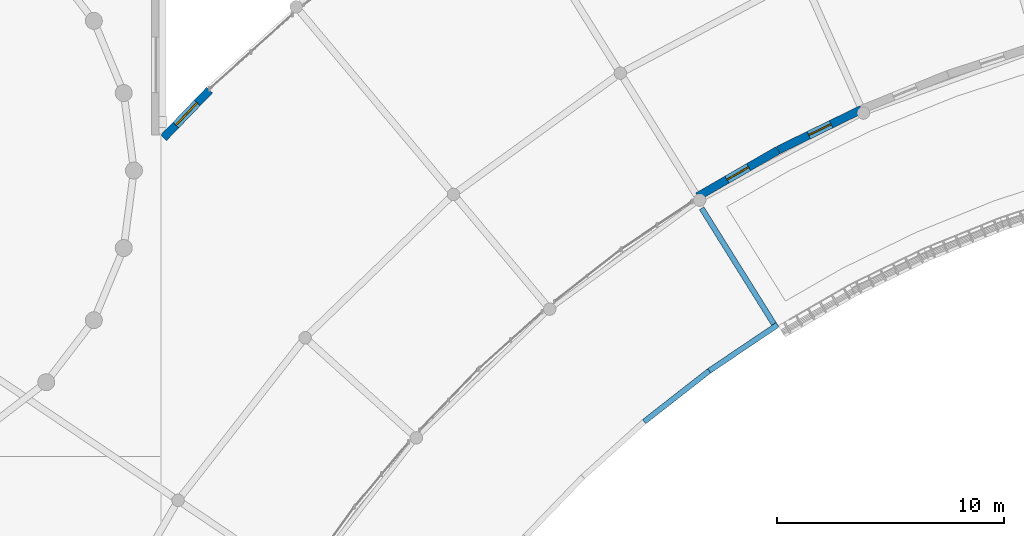
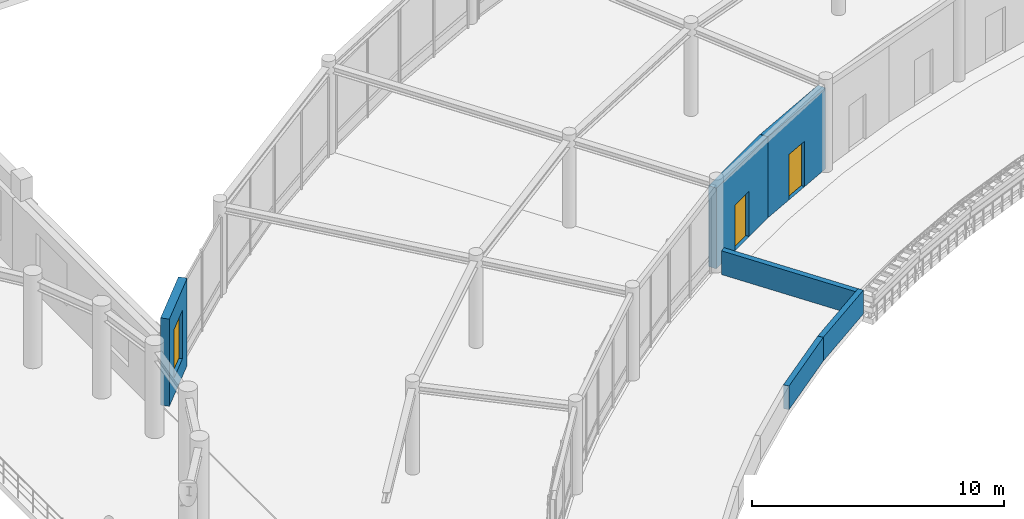
# One storey, part 40 of 62: 6 walls, 2 doors, 1 window, 3 openings.
"""IFC4 building model written with IfcOpenShell, lengths in metres."""

import ifcopenshell
import ifcopenshell.guid

model = None  # the IFC model being written
_history = None  # IfcOwnerHistory: only IFC2X3 demands one
_inside = {}  # id of a spatial element -> (the spatial element, [elements in it])
_under = {}  # id of a project, library or spatial element -> (it, [spatial elements below it])
_declared = {}  # id of a project -> (the project, [libraries it declares])
_typed = {}  # id of a type object -> (the type object, [elements of that type])
_made_of = {}  # id of a material, layer set ... -> (it, [elements and type objects made of it])


def new_model(schema):
    """Start an empty IFC model of exactly this schema.

    Asked for "IFC4X3", IfcOpenShell would pick the latest addendum, in which some entities
    have other attributes; the version numbers below select the first issue.
    IFC2X3 requires an IfcOwnerHistory on every rooted entity: one is made here for all.
    """
    global model, _history
    if schema == "IFC4X3":
        model = ifcopenshell.file(schema_version=(4, 3, 0, 0))
    else:
        model = ifcopenshell.file(schema=schema)
    _inside.clear()
    _under.clear()
    _declared.clear()
    _typed.clear()
    _made_of.clear()
    _history = None
    if model.schema == "IFC2X3":
        org = make("IfcOrganization", Name="unknown")
        user = make(
            "IfcPersonAndOrganization",
            ThePerson=make("IfcPerson", FamilyName="unknown"),
            TheOrganization=org,
        )
        app = make(
            "IfcApplication",
            ApplicationDeveloper=org,
            Version="unknown",
            ApplicationFullName="unknown",
            ApplicationIdentifier="unknown",
        )
        _history = make(
            "IfcOwnerHistory",
            OwningUser=user,
            OwningApplication=app,
            ChangeAction="ADDED",
            CreationDate=0,
        )
    return model


def make(cls, **values):
    """One entity of the class cls with the attributes given. An attribute that is None is left unset."""
    return model.create_entity(
        cls, **{name: value for name, value in values.items() if value is not None}
    )


def rooted(cls, **values):
    """An entity with a GlobalId (a new one), such as an element, a storey or a relation."""
    return make(cls, GlobalId=ifcopenshell.guid.new(), OwnerHistory=_history, **values)


def si_unit(unit_type, name, prefix=None):
    """IfcSIUnit, for example si_unit("LENGTHUNIT", "METRE", prefix="MILLI")."""
    return make("IfcSIUnit", UnitType=unit_type, Prefix=prefix, Name=name)


def assignment(units):
    """IfcUnitAssignment: the units of a project."""
    return None if units is None else make("IfcUnitAssignment", Units=units)


def point(xyz):
    """IfcCartesianPoint."""
    return None if xyz is None else make("IfcCartesianPoint", Coordinates=xyz)


def direction(xyz):
    """IfcDirection."""
    return None if xyz is None else make("IfcDirection", DirectionRatios=xyz)


def frame(location, z_axis=None, x_axis=None):
    """IfcAxis2Placement3D, a coordinate frame: its origin and axes. An axis left out is left unset."""
    return make(
        "IfcAxis2Placement3D",
        Location=point(location),
        Axis=direction(z_axis),
        RefDirection=direction(x_axis),
    )


def frame_2d(location, x_axis=None):
    """IfcAxis2Placement2D, a coordinate frame in the plane: its origin and x axis."""
    return make(
        "IfcAxis2Placement2D", Location=point(location), RefDirection=direction(x_axis)
    )


def origin():
    """The frame at (0, 0, 0) with its axes left unset."""
    return frame((0.0, 0.0, 0.0))


def place(relative_to, where):
    """IfcLocalPlacement: puts the frame where relative to a parent placement (None: the world)."""
    return make(
        "IfcLocalPlacement", PlacementRelTo=relative_to, RelativePlacement=where
    )


def context(
    kind, dimensions, precision=None, world=None, true_north=None, identifier=None
):
    """IfcGeometricRepresentationContext, for example the 3D "Model" context."""
    return make(
        "IfcGeometricRepresentationContext",
        ContextIdentifier=identifier,
        ContextType=kind,
        CoordinateSpaceDimension=dimensions,
        Precision=precision,
        WorldCoordinateSystem=world,
        TrueNorth=true_north,
    )


def subcontext(parent, identifier, kind, view, scale=None):
    """IfcGeometricRepresentationSubContext, for example "Body" below "Model"."""
    return make(
        "IfcGeometricRepresentationSubContext",
        ContextIdentifier=identifier,
        ContextType=kind,
        ParentContext=parent,
        TargetScale=scale,
        TargetView=view,
    )


def project(units=None, contexts=None):
    """IfcProject with its units and contexts."""
    return rooted(
        "IfcProject",
        Name="project",
        RepresentationContexts=contexts,
        UnitsInContext=assignment(units),
    )


def spatial(cls, under=None, at=None, **own):
    """A site, building, storey or space (cls), placed at a placement, below another one or the project."""
    s = rooted(cls, ObjectPlacement=at, **own)
    if under is not None:
        _under.setdefault(under.id(), (under, []))[1].append(s)
    return s


def profile(cls, at=None, kind="AREA", **sizes):
    """A parametric profile (cls). Its sizes go by their IFC names, for example OverallWidth=200.0."""
    return make(cls, ProfileType=kind, Position=at, **sizes)


def rectangle(**sizes):
    """IfcRectangleProfileDef."""
    return profile("IfcRectangleProfileDef", **sizes)


def extrude(swept, where, along, depth):
    """IfcExtrudedAreaSolid: the profile swept, set in the frame where, extruded along a direction by depth."""
    return make(
        "IfcExtrudedAreaSolid",
        SweptArea=swept,
        Position=where,
        ExtrudedDirection=direction(along),
        Depth=depth,
    )


def shape(context_of_items, identifier, shape_type, items):
    """IfcShapeRepresentation: the items that make up one representation, for example the "Body"."""
    return make(
        "IfcShapeRepresentation",
        ContextOfItems=context_of_items,
        RepresentationIdentifier=identifier,
        RepresentationType=shape_type,
        Items=items,
    )


def material(Name=None, Category=None):
    """IfcMaterial."""
    return make("IfcMaterial", Name=Name, Category=Category)


def layer(
    of_material, thickness, ventilated=None, Name=None, Category=None, Priority=None
):
    """IfcMaterialLayer: one layer of a wall or slab, of a material (None: an air gap)."""
    return make(
        "IfcMaterialLayer",
        Material=of_material,
        LayerThickness=thickness,
        IsVentilated=ventilated,
        Name=Name,
        Category=Category,
        Priority=Priority,
    )


def layer_set(layers, Name=None):
    """IfcMaterialLayerSet."""
    return make("IfcMaterialLayerSet", MaterialLayers=layers, LayerSetName=Name)


def made_of(thing, what):
    """Note that an element or type object is made of a material, layer set ...; save() writes the relation."""
    if what is not None:
        _made_of.setdefault(what.id(), (what, []))[1].append(thing)
    return thing


def type_object(cls, material=None, **own):
    """A type object (cls), such as IfcWallType, which elements share."""
    return made_of(rooted(cls, **own), material)


def element(
    cls,
    number,
    at=None,
    inside=None,
    cuts=None,
    type_object=None,
    material=None,
    context=None,
    identifier="Body",
    shape_type=None,
    held_by="IfcProductDefinitionShape",
    body=None,
    shapes=None,
    **own,
):
    """One element of the class cls, such as IfcWall. Its Tag is "e" and its number.

    at: its placement. inside: the storey or other place that contains it. cuts: it is an
    opening in that element (IfcRelVoidsElement). A single representation is given by context,
    identifier, shape_type and body (its items); several are given by shapes. held_by: the class
    of the entity that holds the representations. save() writes the other relations.
    """
    e = rooted(cls, Tag="e%d" % number, ObjectPlacement=at, **own)
    if body is not None:
        shapes = [shape(context, identifier, shape_type, body)]
    if shapes is not None:
        e.Representation = make(held_by, Representations=shapes)
    if inside is not None:
        _inside.setdefault(inside.id(), (inside, []))[1].append(e)
    if cuts is not None:
        rooted(
            "IfcRelVoidsElement", RelatingBuildingElement=cuts, RelatedOpeningElement=e
        )
    if type_object is not None:
        _typed.setdefault(type_object.id(), (type_object, []))[1].append(e)
    return made_of(e, material)


def fill(opening, filler):
    """IfcRelFillsElement: the door or window that sits in an opening."""
    return rooted(
        "IfcRelFillsElement",
        RelatingOpeningElement=opening,
        RelatedBuildingElement=filler,
    )


def aggregate(whole, parts):
    """IfcRelAggregates: a whole, such as a stair, and the parts it consists of."""
    return rooted("IfcRelAggregates", RelatingObject=whole, RelatedObjects=parts)


def save(model, path):
    """Write the relations noted so far, then the file.

    IfcRelAggregates (storeys below a building ...), IfcRelContainedInSpatialStructure (elements
    in a storey), IfcRelDefinesByType, IfcRelAssociatesMaterial and IfcRelDeclares: one each for
    every whole, place, type object, material and project.
    """
    for whole, parts in _under.values():
        aggregate(whole, parts)
    for where, things in _inside.values():
        rooted(
            "IfcRelContainedInSpatialStructure",
            RelatedElements=things,
            RelatingStructure=where,
        )
    for kind, things in _typed.values():
        rooted("IfcRelDefinesByType", RelatedObjects=things, RelatingType=kind)
    for what, things in _made_of.values():
        rooted("IfcRelAssociatesMaterial", RelatedObjects=things, RelatingMaterial=what)
    for by, libraries in _declared.values():
        rooted("IfcRelDeclares", RelatingContext=by, RelatedDefinitions=libraries)
    model.write(path)


model = new_model("IFC4")

# Units and contexts
model_context = context("Model", 3, precision=1e-05, world=origin(), true_north=direction((0.0, 1.0)))
body_context = subcontext(model_context, "Body", "Model", "MODEL_VIEW")
ifc_project = project(units=[si_unit("LENGTHUNIT", "METRE"), si_unit("AREAUNIT", "SQUARE_METRE"), si_unit("VOLUMEUNIT", "CUBIC_METRE"), si_unit("PLANEANGLEUNIT", "RADIAN"), si_unit("MASSUNIT", "GRAM", prefix="KILO")], contexts=[model_context])

# Site, building, storey
site_placement = place(None, origin())
site = spatial("IfcSite", under=ifc_project, at=site_placement, CompositionType="ELEMENT")
building_placement = place(site_placement, origin())
building = spatial("IfcBuilding", under=site, at=building_placement, Name="Clarverna Civic Hall", CompositionType="ELEMENT")
storey_placement = place(building_placement, frame((0.0, 0.0, 5.10009765625)))
storey = spatial("IfcBuildingStorey", under=building, at=storey_placement, Name="L01", CompositionType="ELEMENT", Elevation=5.10009765625)

# Wall, opening, window
ifc_material_1 = material(Name="Montjuic Limestone Ashlar Cladding", Category="masonry")
ifc_layer_1 = layer(ifc_material_1, 0.360107421875)
ifc_layer_set_1 = layer_set([ifc_layer_1], Name="Montjuic Limestone Ashlar Cladding")
wall_type_1 = type_object("IfcWallType", Name="EW-03", PredefinedType="SOLIDWALL", material=ifc_layer_set_1)
wall_1_placement = place(storey_placement, frame((97.304443359375, 60.441650390625, 0.0), z_axis=(0.0, 0.0, 1.0), x_axis=(0.694640707317, 0.719356857018, 0.0)))
wall_1 = element("IfcWall", 1, at=wall_1_placement, inside=storey, type_object=wall_type_1, Name="EW-03-001", PredefinedType="SOLIDWALL", context=body_context, shape_type="SweptSolid", body=[
    extrude(rectangle(XDim=2.923828125, YDim=0.360107421875, at=frame_2d((1.4619140625, 0.0))), origin(), (0.0, 0.0, 1.0), 4.219970703125),
])
opening_1_placement = place(wall_1_placement, frame((0.786865234375, 0.0, 0.85009765625)))
opening_1 = element("IfcOpeningElement", 2, at=opening_1_placement, cuts=wall_1, Name="Opening WN-29", PredefinedType="OPENING", context=body_context, shape_type="SweptSolid", body=[
    extrude(rectangle(XDim=1.35009765625, YDim=2.35009765625, at=frame_2d((0.675048828125, 1.175048828125))), frame((0.0, 0.18994140625, 0.0), z_axis=(0.0, -1.0, 0.0), x_axis=(1.0, 0.0, 0.0)), (0.0, 0.0, 1.0), 0.380126953125),
])
ifc_material_2 = material(Name="Solar-Control Argon Low-E Double Glazing", Category="glass")
window_type = type_object("IfcWindowType", Name="WN-29", PartitioningType="SINGLE_PANEL", PredefinedType="WINDOW", material=ifc_material_2)
window_placement = place(opening_1_placement, origin())
window = element("IfcWindow", 3, at=window_placement, inside=storey, type_object=window_type, Name="WN-29-023", OverallHeight=2.35009765625, OverallWidth=1.35009765625, PartitioningType="SINGLE_PANEL", PredefinedType="WINDOW", context=body_context, shape_type="SweptSolid", body=[
    extrude(rectangle(XDim=1.35009765625, YDim=2.35009765625, at=frame_2d((0.675048828125, 1.175048828125))), frame((0.0, 0.030029296875, 0.0), z_axis=(0.0, -1.0, 0.0), x_axis=(1.0, 0.0, 0.0)), (0.0, 0.0, 1.0), 0.06005859375),
])
fill(opening_1, window)

# Wall, opening, door
wall_2_placement = place(storey_placement, frame((128.086181640625, 61.695556640625, 0.0), z_axis=(0.0, 0.0, 1.0), x_axis=(-0.898789097486, -0.438381293215, 0.0)))
wall_2 = element("IfcWall", 4, at=wall_2_placement, inside=storey, type_object=wall_type_1, Name="EW-03-007", PredefinedType="SOLIDWALL", context=body_context, shape_type="SweptSolid", body=[
    extrude(rectangle(XDim=4.090087890625, YDim=0.360107421875, at=frame_2d((2.044921875, 0.0))), origin(), (0.0, 0.0, 1.0), 3.909912109375),
])
opening_2_placement = place(wall_2_placement, frame((1.4951171875, 0.0, 0.0)))
opening_2 = element("IfcOpeningElement", 5, at=opening_2_placement, cuts=wall_2, Name="Opening ED-05", PredefinedType="OPENING", context=body_context, shape_type="SweptSolid", body=[
    extrude(rectangle(XDim=1.10009765625, YDim=2.199951171875, at=frame_2d((0.550048828125, 1.10009765625))), frame((0.0, 0.18994140625, 0.0), z_axis=(0.0, -1.0, 0.0), x_axis=(1.0, 0.0, 0.0)), (0.0, 0.0, 1.0), 0.380126953125),
])
ifc_material_3 = material(Name="Anodised Bronze Glazed Door")
door_type = type_object("IfcDoorType", Name="ED-05", OperationType="NOTDEFINED", PredefinedType="DOOR", material=ifc_material_3)
door_1_placement = place(opening_2_placement, origin())
door_1 = element("IfcDoor", 6, at=door_1_placement, inside=storey, type_object=door_type, Name="ED-05-006", OperationType="SINGLE_SWING_RIGHT", OverallHeight=2.199951171875, OverallWidth=1.10009765625, PredefinedType="DOOR", context=body_context, shape_type="SweptSolid", body=[
    extrude(rectangle(XDim=1.10009765625, YDim=2.199951171875, at=frame_2d((0.550048828125, 1.10009765625))), frame((0.0, 0.02490234375, 0.0), z_axis=(0.0, -1.0, 0.0), x_axis=(1.0, 0.0, 0.0)), (0.0, 0.0, 1.0), 0.050048828125),
])
fill(opening_2, door_1)

wall_3_placement = place(storey_placement, frame((124.39892578125, 59.896484375, 0.0), z_axis=(0.0, 0.0, 1.0), x_axis=(-0.866045435662, -0.499965302165, 0.0)))
wall_3 = element("IfcWall", 7, at=wall_3_placement, inside=storey, type_object=wall_type_1, Name="EW-03-008", PredefinedType="SOLIDWALL", context=body_context, shape_type="SweptSolid", body=[
    extrude(rectangle(XDim=4.090087890625, YDim=0.360107421875, at=frame_2d((2.044921875, 0.0))), origin(), (0.0, 0.0, 1.0), 3.909912109375),
])
opening_3_placement = place(wall_3_placement, frame((1.4951171875, 0.0, 0.0)))
opening_3 = element("IfcOpeningElement", 8, at=opening_3_placement, cuts=wall_3, Name="Opening ED-05", PredefinedType="OPENING", context=body_context, shape_type="SweptSolid", body=[
    extrude(rectangle(XDim=1.10009765625, YDim=2.199951171875, at=frame_2d((0.550048828125, 1.10009765625))), frame((0.0, 0.18994140625, 0.0), z_axis=(0.0, -1.0, 0.0), x_axis=(1.0, 0.0, 0.0)), (0.0, 0.0, 1.0), 0.380126953125),
])
door_2_placement = place(opening_3_placement, origin())
door_2 = element("IfcDoor", 9, at=door_2_placement, inside=storey, type_object=door_type, Name="ED-05-007", OperationType="SINGLE_SWING_LEFT", OverallHeight=2.199951171875, OverallWidth=1.10009765625, PredefinedType="DOOR", context=body_context, shape_type="SweptSolid", body=[
    extrude(rectangle(XDim=1.10009765625, YDim=2.199951171875, at=frame_2d((0.550048828125, 1.10009765625))), frame((0.0, 0.02490234375, 0.0), z_axis=(0.0, -1.0, 0.0), x_axis=(1.0, 0.0, 0.0)), (0.0, 0.0, 1.0), 0.050048828125),
])
fill(opening_3, door_2)

# Walls
ifc_material_4 = material(Name="Precast concrete C40/50", Category="concrete")
ifc_layer_2 = layer(ifc_material_4, 0.239990234375)
ifc_layer_set_2 = layer_set([ifc_layer_2], Name="Precast concrete C40/50")
wall_type_2 = type_object("IfcWallType", Name="PR-01", PredefinedType="PARAPET", material=ifc_layer_set_2)
wall_4_placement = place(storey_placement, frame((121.030517578125, 57.3349609375, 0.0), z_axis=(0.0, 0.0, 1.0), x_axis=(0.52991115157, -0.848053165457, 0.0)))
element("IfcWall", 10, at=wall_4_placement, inside=storey, type_object=wall_type_2, Name="PR-01-009", PredefinedType="PARAPET", context=body_context, shape_type="SweptSolid", body=[
    extrude(rectangle(XDim=6.249755859375, YDim=0.239990234375, at=frame_2d((3.125, 0.0))), origin(), (0.0, 0.0, 1.0), 1.14990234375),
])
wall_5_placement = place(storey_placement, frame((124.377197265625, 52.197998046875, 0.0), z_axis=(0.0, 0.0, 1.0), x_axis=(-0.829047472333, -0.559178226166, 0.0)))
element("IfcWall", 11, at=wall_5_placement, inside=storey, type_object=wall_type_2, Name="PR-01-010", PredefinedType="PARAPET", context=body_context, shape_type="SweptSolid", body=[
    extrude(rectangle(XDim=3.62939453125, YDim=0.239990234375, at=frame_2d((1.814697265625, 0.0))), origin(), (0.0, 0.0, 1.0), 1.14990234375),
])
wall_6_placement = place(storey_placement, frame((121.361328125, 50.16357421875, 0.0), z_axis=(0.0, 0.0, 1.0), x_axis=(-0.788002957946, -0.615671453186, 0.0)))
element("IfcWall", 12, at=wall_6_placement, inside=storey, type_object=wall_type_2, Name="PR-01-011", PredefinedType="PARAPET", context=body_context, shape_type="SweptSolid", body=[
    extrude(rectangle(XDim=3.629638671875, YDim=0.239990234375, at=frame_2d((1.81494140625, 0.0))), origin(), (0.0, 0.0, 1.0), 1.14990234375),
])

save(model, "model.ifc")
